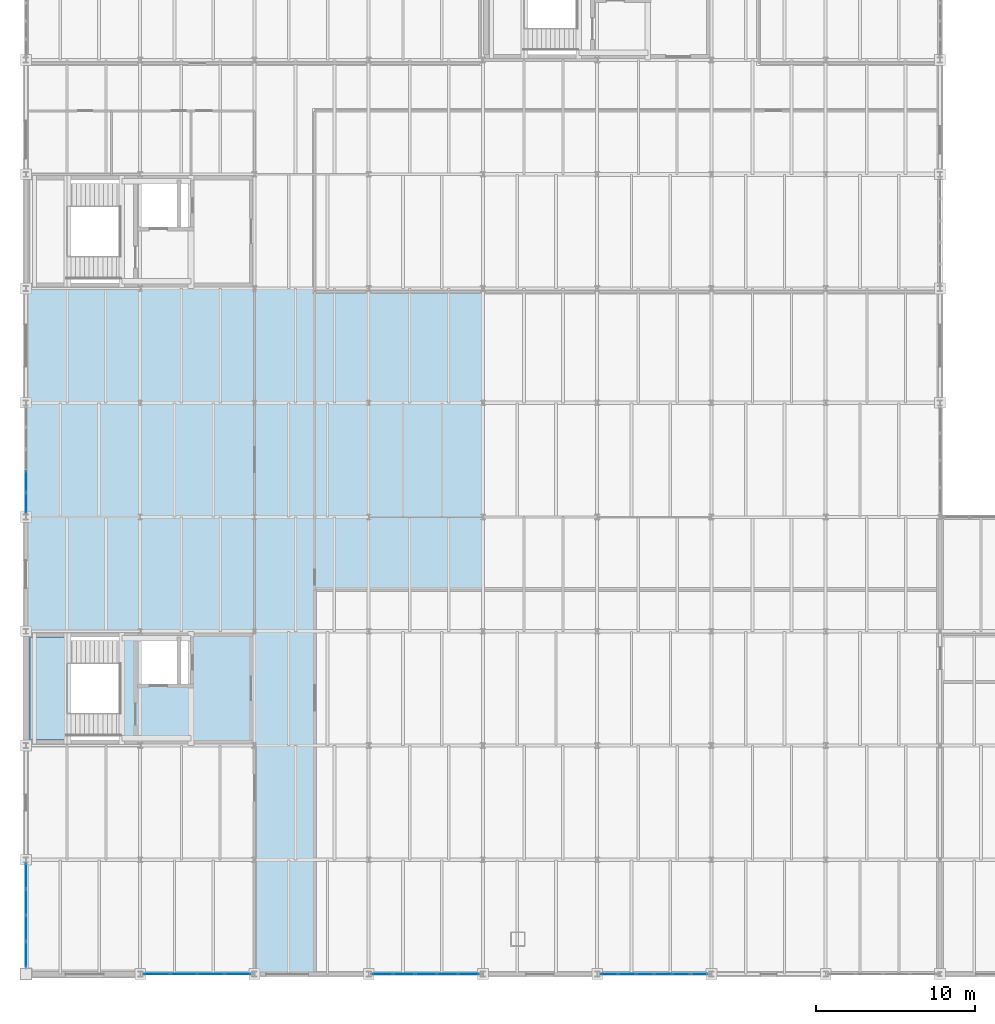
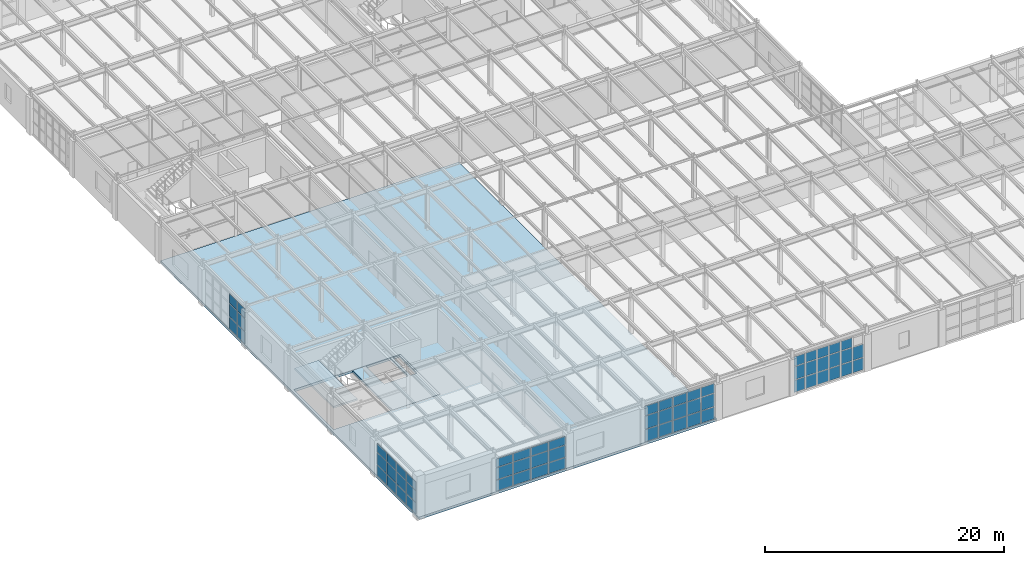
# One storey, part 108 of 137: 62 plates, 3 slabs, 6 elements without a shape of their own.
"""IFC4 building model written with IfcOpenShell, lengths in metres."""

from ifc_helpers import new_model, si_unit, direction, frame, origin, origin_2d, place, context, subcontext, project, spatial, polyline, rectangle, outline, extrude, material, layer, layer_set, type_object, element, aggregate, save


model = new_model("IFC4")

# Units and contexts
model_context = context("Model", 3, precision=1e-05, world=origin(), true_north=direction((0.0, 1.0)))
body_context = subcontext(model_context, "Body", "Model", "MODEL_VIEW")
ifc_project = project(units=[si_unit("LENGTHUNIT", "METRE"), si_unit("AREAUNIT", "SQUARE_METRE"), si_unit("VOLUMEUNIT", "CUBIC_METRE"), si_unit("PLANEANGLEUNIT", "RADIAN"), si_unit("MASSUNIT", "GRAM", prefix="KILO")], contexts=[model_context])

# Site, building, storey
site_placement = place(None, origin())
site = spatial("IfcSite", under=ifc_project, at=site_placement, CompositionType="ELEMENT")
building_placement = place(site_placement, origin())
building = spatial("IfcBuilding", under=site, at=building_placement, Name="Kemerveld Promenade Tramway Depot", CompositionType="ELEMENT")
storey_placement = place(building_placement, frame((0.0, 0.0, 5.39990234375)))
storey = spatial("IfcBuildingStorey", under=building, at=storey_placement, Name="L01", CompositionType="ELEMENT", Elevation=5.39990234375)

# Curtain wall, plates
ifc_material_1 = material(Name="Bronze anodised aluminium and solar glass", Category="aluminium")
ifc_layer_1 = layer(ifc_material_1, 0.199951171875)
ifc_layer_set_1 = layer_set([ifc_layer_1], Name="CW-SYS-10")
curtain_wall_type_1 = type_object("IfcCurtainWallType", Name="CW-SYS-10", PredefinedType="USERDEFINED", material=ifc_layer_set_1)
curtain_wall_1_placement = place(storey_placement, origin())
curtain_wall_1 = element("IfcCurtainWall", 1, at=curtain_wall_1_placement, inside=storey, type_object=curtain_wall_type_1, Name="CW-L01-V5S-07", ObjectType="GLAZED_CURTAIN_WALL", PredefinedType="USERDEFINED")
ifc_material_2 = material(Name="Solar-control laminated double glazing", Category="glass")
ifc_layer_2 = layer(ifc_material_2, 0.028076171875)
ifc_layer_set_2 = layer_set([ifc_layer_2], Name="CW-PNL-02")
plate_type_1 = type_object("IfcPlateType", Name="CW-PNL-02", PredefinedType="CURTAIN_PANEL", material=ifc_layer_set_2)
plate_1_placement = place(storey_placement, frame((13.34375, 0.0, 0.06494140625), z_axis=(0.0, 0.0, 1.0), x_axis=(-1.0, 0.0, 0.0)))
plate_1 = element("IfcPlate", 2, at=plate_1_placement, type_object=plate_type_1, Name="CW10 panel 1.1", PredefinedType="CURTAIN_PANEL", context=body_context, shape_type="SweptSolid", body=[
    extrude(rectangle(XDim=1.595703125, YDim=0.028076171875, at=origin_2d()), origin(), (0.0, 0.0, 1.0), 1.089599609375),
])
plate_2_placement = place(storey_placement, frame((13.34375, 0.0, 1.2197265625), z_axis=(0.0, 0.0, 1.0), x_axis=(-1.0, 0.0, 0.0)))
plate_2 = element("IfcPlate", 3, at=plate_2_placement, type_object=plate_type_1, Name="CW10 panel 1.2", PredefinedType="CURTAIN_PANEL", context=body_context, shape_type="SweptSolid", body=[
    extrude(rectangle(XDim=1.595703125, YDim=0.028076171875, at=origin_2d()), origin(), (0.0, 0.0, 1.0), 1.18896484375),
])
plate_3_placement = place(storey_placement, frame((13.34375, 0.0, 2.4736328125), z_axis=(0.0, 0.0, 1.0), x_axis=(-1.0, 0.0, 0.0)))
plate_3 = element("IfcPlate", 4, at=plate_3_placement, type_object=plate_type_1, Name="CW10 panel 1.3", PredefinedType="CURTAIN_PANEL", context=body_context, shape_type="SweptSolid", body=[
    extrude(rectangle(XDim=1.595703125, YDim=0.028076171875, at=origin_2d()), origin(), (0.0, 0.0, 1.0), 0.8515625),
])
plate_4_placement = place(storey_placement, frame((11.654052734375, 0.0, 0.06494140625), z_axis=(0.0, 0.0, 1.0), x_axis=(-1.0, 0.0, 0.0)))
plate_4 = element("IfcPlate", 5, at=plate_4_placement, type_object=plate_type_1, Name="CW10 panel 2.1", PredefinedType="CURTAIN_PANEL", context=body_context, shape_type="SweptSolid", body=[
    extrude(rectangle(XDim=1.63330078125, YDim=0.028076171875, at=origin_2d()), origin(), (0.0, 0.0, 1.0), 1.089599609375),
])
plate_5_placement = place(storey_placement, frame((11.654052734375, 0.0, 1.2197265625), z_axis=(0.0, 0.0, 1.0), x_axis=(-1.0, 0.0, 0.0)))
plate_5 = element("IfcPlate", 6, at=plate_5_placement, type_object=plate_type_1, Name="CW10 panel 2.2", PredefinedType="CURTAIN_PANEL", context=body_context, shape_type="SweptSolid", body=[
    extrude(rectangle(XDim=1.63330078125, YDim=0.028076171875, at=origin_2d()), origin(), (0.0, 0.0, 1.0), 1.18896484375),
])
plate_6_placement = place(storey_placement, frame((11.654052734375, 0.0, 2.4736328125), z_axis=(0.0, 0.0, 1.0), x_axis=(-1.0, 0.0, 0.0)))
plate_6 = element("IfcPlate", 7, at=plate_6_placement, type_object=plate_type_1, Name="CW10 panel 2.3", PredefinedType="CURTAIN_PANEL", context=body_context, shape_type="SweptSolid", body=[
    extrude(rectangle(XDim=1.63330078125, YDim=0.028076171875, at=origin_2d()), origin(), (0.0, 0.0, 1.0), 0.8515625),
])
plate_7_placement = place(storey_placement, frame((9.946044921875, 0.0, 0.06494140625), z_axis=(0.0, 0.0, 1.0), x_axis=(-1.0, 0.0, 0.0)))
plate_7 = element("IfcPlate", 8, at=plate_7_placement, type_object=plate_type_1, Name="CW10 panel 3.1", PredefinedType="CURTAIN_PANEL", context=body_context, shape_type="SweptSolid", body=[
    extrude(rectangle(XDim=1.63330078125, YDim=0.028076171875, at=origin_2d()), origin(), (0.0, 0.0, 1.0), 1.089599609375),
])
plate_8_placement = place(storey_placement, frame((9.946044921875, 0.0, 1.2197265625), z_axis=(0.0, 0.0, 1.0), x_axis=(-1.0, 0.0, 0.0)))
plate_8 = element("IfcPlate", 9, at=plate_8_placement, type_object=plate_type_1, Name="CW10 panel 3.2", PredefinedType="CURTAIN_PANEL", context=body_context, shape_type="SweptSolid", body=[
    extrude(rectangle(XDim=1.63330078125, YDim=0.028076171875, at=origin_2d()), origin(), (0.0, 0.0, 1.0), 1.18896484375),
])
plate_9_placement = place(storey_placement, frame((9.946044921875, 0.0, 2.4736328125), z_axis=(0.0, 0.0, 1.0), x_axis=(-1.0, 0.0, 0.0)))
plate_9 = element("IfcPlate", 10, at=plate_9_placement, type_object=plate_type_1, Name="CW10 panel 3.3", PredefinedType="CURTAIN_PANEL", context=body_context, shape_type="SweptSolid", body=[
    extrude(rectangle(XDim=1.63330078125, YDim=0.028076171875, at=origin_2d()), origin(), (0.0, 0.0, 1.0), 0.8515625),
])
plate_10_placement = place(storey_placement, frame((8.25634765625, 0.0, 0.06494140625), z_axis=(0.0, 0.0, 1.0), x_axis=(-1.0, 0.0, 0.0)))
plate_10 = element("IfcPlate", 11, at=plate_10_placement, type_object=plate_type_1, Name="CW10 panel 4.1", PredefinedType="CURTAIN_PANEL", context=body_context, shape_type="SweptSolid", body=[
    extrude(rectangle(XDim=1.595703125, YDim=0.028076171875, at=origin_2d()), origin(), (0.0, 0.0, 1.0), 1.089599609375),
])
plate_11_placement = place(storey_placement, frame((8.25634765625, 0.0, 1.2197265625), z_axis=(0.0, 0.0, 1.0), x_axis=(-1.0, 0.0, 0.0)))
plate_11 = element("IfcPlate", 12, at=plate_11_placement, type_object=plate_type_1, Name="CW10 panel 4.2", PredefinedType="CURTAIN_PANEL", context=body_context, shape_type="SweptSolid", body=[
    extrude(rectangle(XDim=1.595703125, YDim=0.028076171875, at=origin_2d()), origin(), (0.0, 0.0, 1.0), 1.18896484375),
])
plate_12_placement = place(storey_placement, frame((8.25634765625, 0.0, 2.4736328125), z_axis=(0.0, 0.0, 1.0), x_axis=(-1.0, 0.0, 0.0)))
plate_12 = element("IfcPlate", 13, at=plate_12_placement, type_object=plate_type_1, Name="CW10 panel 4.3", PredefinedType="CURTAIN_PANEL", context=body_context, shape_type="SweptSolid", body=[
    extrude(rectangle(XDim=1.595703125, YDim=0.028076171875, at=origin_2d()), origin(), (0.0, 0.0, 1.0), 0.8515625),
])
aggregate(curtain_wall_1, [plate_1, plate_2, plate_3, plate_4, plate_5, plate_6, plate_7, plate_8, plate_9, plate_10, plate_11, plate_12])

ifc_layer_3 = layer(ifc_material_1, 0.199951171875)
ifc_layer_set_3 = layer_set([ifc_layer_3], Name="CW-SYS-04")
curtain_wall_type_2 = type_object("IfcCurtainWallType", Name="CW-SYS-04", PredefinedType="USERDEFINED", material=ifc_layer_set_3)
curtain_wall_2_placement = place(storey_placement, origin())
curtain_wall_2 = element("IfcCurtainWall", 14, at=curtain_wall_2_placement, inside=storey, type_object=curtain_wall_type_2, Name="CW-L01-V5W-01", ObjectType="GLAZED_CURTAIN_WALL", PredefinedType="USERDEFINED")
ifc_layer_4 = layer(ifc_material_2, 0.031982421875)
ifc_layer_set_4 = layer_set([ifc_layer_4], Name="CW-PNL-04")
plate_type_2 = type_object("IfcPlateType", Name="CW-PNL-04", PredefinedType="CURTAIN_PANEL", material=ifc_layer_set_4)
plate_13_placement = place(storey_placement, frame((0.0, 1.241455078125, 0.06494140625), z_axis=(0.0, 0.0, 1.0), x_axis=(0.0, 1.0, 0.0)))
plate_13 = element("IfcPlate", 15, at=plate_13_placement, type_object=plate_type_2, Name="CW04 panel 1.1", PredefinedType="CURTAIN_PANEL", context=body_context, shape_type="SweptSolid", body=[
    extrude(rectangle(XDim=1.54296875, YDim=0.031982421875, at=origin_2d()), origin(), (0.0, 0.0, 1.0), 1.089599609375),
])
plate_14_placement = place(storey_placement, frame((0.0, 1.241455078125, 1.2197265625), z_axis=(0.0, 0.0, 1.0), x_axis=(0.0, 1.0, 0.0)))
plate_14 = element("IfcPlate", 16, at=plate_14_placement, type_object=plate_type_2, Name="CW04 panel 1.2", PredefinedType="CURTAIN_PANEL", context=body_context, shape_type="SweptSolid", body=[
    extrude(rectangle(XDim=1.54296875, YDim=0.031982421875, at=origin_2d()), origin(), (0.0, 0.0, 1.0), 1.18896484375),
])
plate_15_placement = place(storey_placement, frame((0.0, 1.241455078125, 2.4736328125), z_axis=(0.0, 0.0, 1.0), x_axis=(0.0, 1.0, 0.0)))
plate_15 = element("IfcPlate", 17, at=plate_15_placement, type_object=plate_type_2, Name="CW04 panel 1.3", PredefinedType="CURTAIN_PANEL", context=body_context, shape_type="SweptSolid", body=[
    extrude(rectangle(XDim=1.54296875, YDim=0.031982421875, at=origin_2d()), origin(), (0.0, 0.0, 1.0), 0.8515625),
])
plate_16_placement = place(storey_placement, frame((0.0, 2.8779296875, 0.06494140625), z_axis=(0.0, 0.0, 1.0), x_axis=(0.0, 1.0, 0.0)))
plate_16 = element("IfcPlate", 18, at=plate_16_placement, type_object=plate_type_2, Name="CW04 panel 2.1", PredefinedType="CURTAIN_PANEL", context=body_context, shape_type="SweptSolid", body=[
    extrude(rectangle(XDim=1.580322265625, YDim=0.031982421875, at=origin_2d()), origin(), (0.0, 0.0, 1.0), 1.089599609375),
])
plate_17_placement = place(storey_placement, frame((0.0, 2.8779296875, 1.2197265625), z_axis=(0.0, 0.0, 1.0), x_axis=(0.0, 1.0, 0.0)))
plate_17 = element("IfcPlate", 19, at=plate_17_placement, type_object=plate_type_2, Name="CW04 panel 2.2", PredefinedType="CURTAIN_PANEL", context=body_context, shape_type="SweptSolid", body=[
    extrude(rectangle(XDim=1.580322265625, YDim=0.031982421875, at=origin_2d()), origin(), (0.0, 0.0, 1.0), 1.18896484375),
])
plate_18_placement = place(storey_placement, frame((0.0, 2.8779296875, 2.4736328125), z_axis=(0.0, 0.0, 1.0), x_axis=(0.0, 1.0, 0.0)))
plate_18 = element("IfcPlate", 20, at=plate_18_placement, type_object=plate_type_2, Name="CW04 panel 2.3", PredefinedType="CURTAIN_PANEL", context=body_context, shape_type="SweptSolid", body=[
    extrude(rectangle(XDim=1.580322265625, YDim=0.031982421875, at=origin_2d()), origin(), (0.0, 0.0, 1.0), 0.8515625),
])
plate_19_placement = place(storey_placement, frame((0.0, 4.533447265625, 0.06494140625), z_axis=(0.0, 0.0, 1.0), x_axis=(0.0, 1.0, 0.0)))
plate_19 = element("IfcPlate", 21, at=plate_19_placement, type_object=plate_type_2, Name="CW04 panel 3.1", PredefinedType="CURTAIN_PANEL", context=body_context, shape_type="SweptSolid", body=[
    extrude(rectangle(XDim=1.580322265625, YDim=0.031982421875, at=origin_2d()), origin(), (0.0, 0.0, 1.0), 1.089599609375),
])
plate_20_placement = place(storey_placement, frame((0.0, 4.533447265625, 1.2197265625), z_axis=(0.0, 0.0, 1.0), x_axis=(0.0, 1.0, 0.0)))
plate_20 = element("IfcPlate", 22, at=plate_20_placement, type_object=plate_type_2, Name="CW04 panel 3.2", PredefinedType="CURTAIN_PANEL", context=body_context, shape_type="SweptSolid", body=[
    extrude(rectangle(XDim=1.580322265625, YDim=0.031982421875, at=origin_2d()), origin(), (0.0, 0.0, 1.0), 1.18896484375),
])
plate_21_placement = place(storey_placement, frame((0.0, 4.533447265625, 2.4736328125), z_axis=(0.0, 0.0, 1.0), x_axis=(0.0, 1.0, 0.0)))
plate_21 = element("IfcPlate", 23, at=plate_21_placement, type_object=plate_type_2, Name="CW04 panel 3.3", PredefinedType="CURTAIN_PANEL", context=body_context, shape_type="SweptSolid", body=[
    extrude(rectangle(XDim=1.580322265625, YDim=0.031982421875, at=origin_2d()), origin(), (0.0, 0.0, 1.0), 0.8515625),
])
plate_22_placement = place(storey_placement, frame((0.0, 6.169921875, 0.06494140625), z_axis=(0.0, 0.0, 1.0), x_axis=(0.0, 1.0, 0.0)))
plate_22 = element("IfcPlate", 24, at=plate_22_placement, type_object=plate_type_2, Name="CW04 panel 4.1", PredefinedType="CURTAIN_PANEL", context=body_context, shape_type="SweptSolid", body=[
    extrude(rectangle(XDim=1.54296875, YDim=0.031982421875, at=origin_2d()), origin(), (0.0, 0.0, 1.0), 1.089599609375),
])
plate_23_placement = place(storey_placement, frame((0.0, 6.169921875, 1.2197265625), z_axis=(0.0, 0.0, 1.0), x_axis=(0.0, 1.0, 0.0)))
plate_23 = element("IfcPlate", 25, at=plate_23_placement, type_object=plate_type_2, Name="CW04 panel 4.2", PredefinedType="CURTAIN_PANEL", context=body_context, shape_type="SweptSolid", body=[
    extrude(rectangle(XDim=1.54296875, YDim=0.031982421875, at=origin_2d()), origin(), (0.0, 0.0, 1.0), 1.18896484375),
])
plate_24_placement = place(storey_placement, frame((0.0, 6.169921875, 2.4736328125), z_axis=(0.0, 0.0, 1.0), x_axis=(0.0, 1.0, 0.0)))
plate_24 = element("IfcPlate", 26, at=plate_24_placement, type_object=plate_type_2, Name="CW04 panel 4.3", PredefinedType="CURTAIN_PANEL", context=body_context, shape_type="SweptSolid", body=[
    extrude(rectangle(XDim=1.54296875, YDim=0.031982421875, at=origin_2d()), origin(), (0.0, 0.0, 1.0), 0.8515625),
])
aggregate(curtain_wall_2, [plate_13, plate_14, plate_15, plate_16, plate_17, plate_18, plate_19, plate_20, plate_21, plate_22, plate_23, plate_24])

ifc_layer_5 = layer(ifc_material_1, 0.199951171875)
ifc_layer_set_5 = layer_set([ifc_layer_5], Name="CW-SYS-06")
curtain_wall_type_3 = type_object("IfcCurtainWallType", Name="CW-SYS-06", PredefinedType="USERDEFINED", material=ifc_layer_set_5)
curtain_wall_3_placement = place(storey_placement, origin())
curtain_wall_3 = element("IfcCurtainWall", 27, at=curtain_wall_3_placement, inside=storey, type_object=curtain_wall_type_3, Name="CW-L01-V5S-03", ObjectType="GLAZED_CURTAIN_WALL", PredefinedType="USERDEFINED")
ifc_layer_6 = layer(ifc_material_2, 0.02587890625)
ifc_layer_set_6 = layer_set([ifc_layer_6], Name="CW-PNL-06")
plate_type_3 = type_object("IfcPlateType", Name="CW-PNL-06", PredefinedType="CURTAIN_PANEL", material=ifc_layer_set_6)
plate_25_placement = place(storey_placement, frame((42.42822265625, 0.0, 0.06494140625), z_axis=(0.0, 0.0, 1.0), x_axis=(-1.0, 0.0, 0.0)))
plate_25 = element("IfcPlate", 28, at=plate_25_placement, type_object=plate_type_3, Name="CW06 panel 1.1", PredefinedType="CURTAIN_PANEL", context=body_context, shape_type="SweptSolid", body=[
    extrude(rectangle(XDim=1.0263671875, YDim=0.02587890625, at=origin_2d()), origin(), (0.0, 0.0, 1.0), 1.215576171875),
])
plate_26_placement = place(storey_placement, frame((42.42822265625, 0.0, 1.345703125), z_axis=(0.0, 0.0, 1.0), x_axis=(-1.0, 0.0, 0.0)))
plate_26 = element("IfcPlate", 29, at=plate_26_placement, type_object=plate_type_3, Name="CW06 panel 1.2", PredefinedType="CURTAIN_PANEL", context=body_context, shape_type="SweptSolid", body=[
    extrude(rectangle(XDim=1.0263671875, YDim=0.02587890625, at=origin_2d()), origin(), (0.0, 0.0, 1.0), 1.322021484375),
])
plate_27_placement = place(storey_placement, frame((41.308349609375, 0.0, 0.06494140625), z_axis=(0.0, 0.0, 1.0), x_axis=(-1.0, 0.0, 0.0)))
plate_27 = element("IfcPlate", 30, at=plate_27_placement, type_object=plate_type_3, Name="CW06 panel 2.1", PredefinedType="CURTAIN_PANEL", context=body_context, shape_type="SweptSolid", body=[
    extrude(rectangle(XDim=1.063720703125, YDim=0.02587890625, at=origin_2d()), origin(), (0.0, 0.0, 1.0), 1.215576171875),
])
plate_28_placement = place(storey_placement, frame((41.308349609375, 0.0, 1.345703125), z_axis=(0.0, 0.0, 1.0), x_axis=(-1.0, 0.0, 0.0)))
plate_28 = element("IfcPlate", 31, at=plate_28_placement, type_object=plate_type_3, Name="CW06 panel 2.2", PredefinedType="CURTAIN_PANEL", context=body_context, shape_type="SweptSolid", body=[
    extrude(rectangle(XDim=1.063720703125, YDim=0.02587890625, at=origin_2d()), origin(), (0.0, 0.0, 1.0), 1.322021484375),
])
plate_29_placement = place(storey_placement, frame((41.308349609375, 0.0, 2.732421875), z_axis=(0.0, 0.0, 1.0), x_axis=(-1.0, 0.0, 0.0)))
plate_29 = element("IfcPlate", 32, at=plate_29_placement, type_object=plate_type_3, Name="CW06 panel 2.3", PredefinedType="CURTAIN_PANEL", context=body_context, shape_type="SweptSolid", body=[
    extrude(rectangle(XDim=1.063720703125, YDim=0.02587890625, at=origin_2d()), origin(), (0.0, 0.0, 1.0), 0.952392578125),
])
plate_30_placement = place(storey_placement, frame((40.16943359375, 0.0, 0.06494140625), z_axis=(0.0, 0.0, 1.0), x_axis=(-1.0, 0.0, 0.0)))
plate_30 = element("IfcPlate", 33, at=plate_30_placement, type_object=plate_type_3, Name="CW06 panel 3.1", PredefinedType="CURTAIN_PANEL", context=body_context, shape_type="SweptSolid", body=[
    extrude(rectangle(XDim=1.063720703125, YDim=0.02587890625, at=origin_2d()), origin(), (0.0, 0.0, 1.0), 1.215576171875),
])
plate_31_placement = place(storey_placement, frame((40.16943359375, 0.0, 1.345703125), z_axis=(0.0, 0.0, 1.0), x_axis=(-1.0, 0.0, 0.0)))
plate_31 = element("IfcPlate", 34, at=plate_31_placement, type_object=plate_type_3, Name="CW06 panel 3.2", PredefinedType="CURTAIN_PANEL", context=body_context, shape_type="SweptSolid", body=[
    extrude(rectangle(XDim=1.063720703125, YDim=0.02587890625, at=origin_2d()), origin(), (0.0, 0.0, 1.0), 1.322021484375),
])
plate_32_placement = place(storey_placement, frame((40.16943359375, 0.0, 2.732421875), z_axis=(0.0, 0.0, 1.0), x_axis=(-1.0, 0.0, 0.0)))
plate_32 = element("IfcPlate", 35, at=plate_32_placement, type_object=plate_type_3, Name="CW06 panel 3.3", PredefinedType="CURTAIN_PANEL", context=body_context, shape_type="SweptSolid", body=[
    extrude(rectangle(XDim=1.063720703125, YDim=0.02587890625, at=origin_2d()), origin(), (0.0, 0.0, 1.0), 0.952392578125),
])
plate_33_placement = place(storey_placement, frame((39.030517578125, 0.0, 0.06494140625), z_axis=(0.0, 0.0, 1.0), x_axis=(-1.0, 0.0, 0.0)))
plate_33 = element("IfcPlate", 36, at=plate_33_placement, type_object=plate_type_3, Name="CW06 panel 4.1", PredefinedType="CURTAIN_PANEL", context=body_context, shape_type="SweptSolid", body=[
    extrude(rectangle(XDim=1.063720703125, YDim=0.02587890625, at=origin_2d()), origin(), (0.0, 0.0, 1.0), 1.215576171875),
])
plate_34_placement = place(storey_placement, frame((39.030517578125, 0.0, 1.345703125), z_axis=(0.0, 0.0, 1.0), x_axis=(-1.0, 0.0, 0.0)))
plate_34 = element("IfcPlate", 37, at=plate_34_placement, type_object=plate_type_3, Name="CW06 panel 4.2", PredefinedType="CURTAIN_PANEL", context=body_context, shape_type="SweptSolid", body=[
    extrude(rectangle(XDim=1.063720703125, YDim=0.02587890625, at=origin_2d()), origin(), (0.0, 0.0, 1.0), 1.322021484375),
])
plate_35_placement = place(storey_placement, frame((39.030517578125, 0.0, 2.732421875), z_axis=(0.0, 0.0, 1.0), x_axis=(-1.0, 0.0, 0.0)))
plate_35 = element("IfcPlate", 38, at=plate_35_placement, type_object=plate_type_3, Name="CW06 panel 4.3", PredefinedType="CURTAIN_PANEL", context=body_context, shape_type="SweptSolid", body=[
    extrude(rectangle(XDim=1.063720703125, YDim=0.02587890625, at=origin_2d()), origin(), (0.0, 0.0, 1.0), 0.952392578125),
])
plate_36_placement = place(storey_placement, frame((37.891845703125, 0.0, 0.06494140625), z_axis=(0.0, 0.0, 1.0), x_axis=(-1.0, 0.0, 0.0)))
plate_36 = element("IfcPlate", 39, at=plate_36_placement, type_object=plate_type_3, Name="CW06 panel 5.1", PredefinedType="CURTAIN_PANEL", context=body_context, shape_type="SweptSolid", body=[
    extrude(rectangle(XDim=1.063720703125, YDim=0.02587890625, at=origin_2d()), origin(), (0.0, 0.0, 1.0), 1.215576171875),
])
plate_37_placement = place(storey_placement, frame((37.891845703125, 0.0, 1.345703125), z_axis=(0.0, 0.0, 1.0), x_axis=(-1.0, 0.0, 0.0)))
plate_37 = element("IfcPlate", 40, at=plate_37_placement, type_object=plate_type_3, Name="CW06 panel 5.2", PredefinedType="CURTAIN_PANEL", context=body_context, shape_type="SweptSolid", body=[
    extrude(rectangle(XDim=1.063720703125, YDim=0.02587890625, at=origin_2d()), origin(), (0.0, 0.0, 1.0), 1.322021484375),
])
plate_38_placement = place(storey_placement, frame((37.891845703125, 0.0, 2.732421875), z_axis=(0.0, 0.0, 1.0), x_axis=(-1.0, 0.0, 0.0)))
plate_38 = element("IfcPlate", 41, at=plate_38_placement, type_object=plate_type_3, Name="CW06 panel 5.3", PredefinedType="CURTAIN_PANEL", context=body_context, shape_type="SweptSolid", body=[
    extrude(rectangle(XDim=1.063720703125, YDim=0.02587890625, at=origin_2d()), origin(), (0.0, 0.0, 1.0), 0.952392578125),
])
plate_39_placement = place(storey_placement, frame((36.771728515625, 0.0, 0.06494140625), z_axis=(0.0, 0.0, 1.0), x_axis=(-1.0, 0.0, 0.0)))
plate_39 = element("IfcPlate", 42, at=plate_39_placement, type_object=plate_type_3, Name="CW06 panel 6.1", PredefinedType="CURTAIN_PANEL", context=body_context, shape_type="SweptSolid", body=[
    extrude(rectangle(XDim=1.0263671875, YDim=0.02587890625, at=origin_2d()), origin(), (0.0, 0.0, 1.0), 1.215576171875),
])
plate_40_placement = place(storey_placement, frame((36.771728515625, 0.0, 1.345703125), z_axis=(0.0, 0.0, 1.0), x_axis=(-1.0, 0.0, 0.0)))
plate_40 = element("IfcPlate", 43, at=plate_40_placement, type_object=plate_type_3, Name="CW06 panel 6.2", PredefinedType="CURTAIN_PANEL", context=body_context, shape_type="SweptSolid", body=[
    extrude(rectangle(XDim=1.0263671875, YDim=0.02587890625, at=origin_2d()), origin(), (0.0, 0.0, 1.0), 1.322021484375),
])
plate_41_placement = place(storey_placement, frame((36.771728515625, 0.0, 2.732421875), z_axis=(0.0, 0.0, 1.0), x_axis=(-1.0, 0.0, 0.0)))
plate_41 = element("IfcPlate", 44, at=plate_41_placement, type_object=plate_type_3, Name="CW06 panel 6.3", PredefinedType="CURTAIN_PANEL", context=body_context, shape_type="SweptSolid", body=[
    extrude(rectangle(XDim=1.0263671875, YDim=0.02587890625, at=origin_2d()), origin(), (0.0, 0.0, 1.0), 0.952392578125),
])
aggregate(curtain_wall_3, [plate_25, plate_26, plate_27, plate_28, plate_29, plate_30, plate_31, plate_32, plate_33, plate_34, plate_35, plate_36, plate_37, plate_38, plate_39, plate_40, plate_41])

ifc_layer_7 = layer(ifc_material_1, 0.199951171875)
ifc_layer_set_7 = layer_set([ifc_layer_7], Name="CW-SYS-08")
curtain_wall_type_4 = type_object("IfcCurtainWallType", Name="CW-SYS-08", PredefinedType="USERDEFINED", material=ifc_layer_set_7)
curtain_wall_4_placement = place(storey_placement, origin())
curtain_wall_4 = element("IfcCurtainWall", 45, at=curtain_wall_4_placement, inside=storey, type_object=curtain_wall_type_4, Name="CW-L01-V5W-05", ObjectType="GLAZED_CURTAIN_WALL", PredefinedType="USERDEFINED")
ifc_layer_8 = layer(ifc_material_2, 0.028076171875)
ifc_layer_set_8 = layer_set([ifc_layer_8], Name="CW-PNL-08")
plate_type_4 = type_object("IfcPlateType", Name="CW-PNL-08", PredefinedType="CURTAIN_PANEL", material=ifc_layer_set_8)
plate_42_placement = place(storey_placement, frame((0.0, 29.685546875, 0.06494140625), z_axis=(0.0, 0.0, 1.0), x_axis=(0.0, 1.0, 0.0)))
plate_42 = element("IfcPlate", 46, at=plate_42_placement, type_object=plate_type_4, Name="CW08 panel 1.1", PredefinedType="CURTAIN_PANEL", context=body_context, shape_type="SweptSolid", body=[
    extrude(rectangle(XDim=1.254150390625, YDim=0.028076171875, at=origin_2d()), origin(), (0.0, 0.0, 1.0), 1.198486328125),
])
plate_43_placement = place(storey_placement, frame((0.0, 29.685546875, 1.32861328125), z_axis=(0.0, 0.0, 1.0), x_axis=(0.0, 1.0, 0.0)))
plate_43 = element("IfcPlate", 47, at=plate_43_placement, type_object=plate_type_4, Name="CW08 panel 1.2", PredefinedType="CURTAIN_PANEL", context=body_context, shape_type="SweptSolid", body=[
    extrude(rectangle(XDim=1.254150390625, YDim=0.028076171875, at=origin_2d()), origin(), (0.0, 0.0, 1.0), 1.304931640625),
])
plate_44_placement = place(storey_placement, frame((0.0, 29.685546875, 2.698486328125), z_axis=(0.0, 0.0, 1.0), x_axis=(0.0, 1.0, 0.0)))
plate_44 = element("IfcPlate", 48, at=plate_44_placement, type_object=plate_type_4, Name="CW08 panel 1.3", PredefinedType="CURTAIN_PANEL", context=body_context, shape_type="SweptSolid", body=[
    extrude(rectangle(XDim=1.254150390625, YDim=0.028076171875, at=origin_2d()), origin(), (0.0, 0.0, 1.0), 0.93994140625),
])
plate_45_placement = place(storey_placement, frame((0.0, 31.033447265625, 0.06494140625), z_axis=(0.0, 0.0, 1.0), x_axis=(0.0, 1.0, 0.0)))
plate_45 = element("IfcPlate", 49, at=plate_45_placement, type_object=plate_type_4, Name="CW08 panel 2.1", PredefinedType="CURTAIN_PANEL", context=body_context, shape_type="SweptSolid", body=[
    extrude(rectangle(XDim=1.29150390625, YDim=0.028076171875, at=origin_2d()), origin(), (0.0, 0.0, 1.0), 1.198486328125),
])
plate_46_placement = place(storey_placement, frame((0.0, 31.033447265625, 1.32861328125), z_axis=(0.0, 0.0, 1.0), x_axis=(0.0, 1.0, 0.0)))
plate_46 = element("IfcPlate", 50, at=plate_46_placement, type_object=plate_type_4, Name="CW08 panel 2.2", PredefinedType="CURTAIN_PANEL", context=body_context, shape_type="SweptSolid", body=[
    extrude(rectangle(XDim=1.29150390625, YDim=0.028076171875, at=origin_2d()), origin(), (0.0, 0.0, 1.0), 1.304931640625),
])
plate_47_placement = place(storey_placement, frame((0.0, 31.033447265625, 2.698486328125), z_axis=(0.0, 0.0, 1.0), x_axis=(0.0, 1.0, 0.0)))
plate_47 = element("IfcPlate", 51, at=plate_47_placement, type_object=plate_type_4, Name="CW08 panel 2.3", PredefinedType="CURTAIN_PANEL", context=body_context, shape_type="SweptSolid", body=[
    extrude(rectangle(XDim=1.29150390625, YDim=0.028076171875, at=origin_2d()), origin(), (0.0, 0.0, 1.0), 0.93994140625),
])
aggregate(curtain_wall_4, [plate_42, plate_43, plate_44, plate_45, plate_46, plate_47])

curtain_wall_5_placement = place(storey_placement, origin())
curtain_wall_5 = element("IfcCurtainWall", 52, at=curtain_wall_5_placement, inside=storey, type_object=curtain_wall_type_4, Name="CW-L01-V5S-05", ObjectType="GLAZED_CURTAIN_WALL", PredefinedType="USERDEFINED")
plate_48_placement = place(storey_placement, frame((27.91455078125, 0.0, 0.06494140625), z_axis=(0.0, 0.0, 1.0), x_axis=(-1.0, 0.0, 0.0)))
plate_48 = element("IfcPlate", 53, at=plate_48_placement, type_object=plate_type_4, Name="CW08 panel 1.1", PredefinedType="CURTAIN_PANEL", context=body_context, shape_type="SweptSolid", body=[
    extrude(rectangle(XDim=1.254150390625, YDim=0.028076171875, at=origin_2d()), origin(), (0.0, 0.0, 1.0), 1.215576171875),
])
plate_49_placement = place(storey_placement, frame((27.91455078125, 0.0, 1.345703125), z_axis=(0.0, 0.0, 1.0), x_axis=(-1.0, 0.0, 0.0)))
plate_49 = element("IfcPlate", 54, at=plate_49_placement, type_object=plate_type_4, Name="CW08 panel 1.2", PredefinedType="CURTAIN_PANEL", context=body_context, shape_type="SweptSolid", body=[
    extrude(rectangle(XDim=1.254150390625, YDim=0.028076171875, at=origin_2d()), origin(), (0.0, 0.0, 1.0), 1.322021484375),
])
plate_50_placement = place(storey_placement, frame((27.91455078125, 0.0, 2.732421875), z_axis=(0.0, 0.0, 1.0), x_axis=(-1.0, 0.0, 0.0)))
plate_50 = element("IfcPlate", 55, at=plate_50_placement, type_object=plate_type_4, Name="CW08 panel 1.3", PredefinedType="CURTAIN_PANEL", context=body_context, shape_type="SweptSolid", body=[
    extrude(rectangle(XDim=1.254150390625, YDim=0.028076171875, at=origin_2d()), origin(), (0.0, 0.0, 1.0), 0.952392578125),
])
plate_51_placement = place(storey_placement, frame((26.566650390625, 0.0, 0.06494140625), z_axis=(0.0, 0.0, 1.0), x_axis=(-1.0, 0.0, 0.0)))
plate_51 = element("IfcPlate", 56, at=plate_51_placement, type_object=plate_type_4, Name="CW08 panel 2.1", PredefinedType="CURTAIN_PANEL", context=body_context, shape_type="SweptSolid", body=[
    extrude(rectangle(XDim=1.29150390625, YDim=0.028076171875, at=origin_2d()), origin(), (0.0, 0.0, 1.0), 1.215576171875),
])
plate_52_placement = place(storey_placement, frame((26.566650390625, 0.0, 1.345703125), z_axis=(0.0, 0.0, 1.0), x_axis=(-1.0, 0.0, 0.0)))
plate_52 = element("IfcPlate", 57, at=plate_52_placement, type_object=plate_type_4, Name="CW08 panel 2.2", PredefinedType="CURTAIN_PANEL", context=body_context, shape_type="SweptSolid", body=[
    extrude(rectangle(XDim=1.29150390625, YDim=0.028076171875, at=origin_2d()), origin(), (0.0, 0.0, 1.0), 1.322021484375),
])
plate_53_placement = place(storey_placement, frame((26.566650390625, 0.0, 2.732421875), z_axis=(0.0, 0.0, 1.0), x_axis=(-1.0, 0.0, 0.0)))
plate_53 = element("IfcPlate", 58, at=plate_53_placement, type_object=plate_type_4, Name="CW08 panel 2.3", PredefinedType="CURTAIN_PANEL", context=body_context, shape_type="SweptSolid", body=[
    extrude(rectangle(XDim=1.29150390625, YDim=0.028076171875, at=origin_2d()), origin(), (0.0, 0.0, 1.0), 0.952392578125),
])
plate_54_placement = place(storey_placement, frame((25.199951171875, 0.0, 0.06494140625), z_axis=(0.0, 0.0, 1.0), x_axis=(-1.0, 0.0, 0.0)))
plate_54 = element("IfcPlate", 59, at=plate_54_placement, type_object=plate_type_4, Name="CW08 panel 3.1", PredefinedType="CURTAIN_PANEL", context=body_context, shape_type="SweptSolid", body=[
    extrude(rectangle(XDim=1.29150390625, YDim=0.028076171875, at=origin_2d()), origin(), (0.0, 0.0, 1.0), 1.215576171875),
])
plate_55_placement = place(storey_placement, frame((25.199951171875, 0.0, 1.345703125), z_axis=(0.0, 0.0, 1.0), x_axis=(-1.0, 0.0, 0.0)))
plate_55 = element("IfcPlate", 60, at=plate_55_placement, type_object=plate_type_4, Name="CW08 panel 3.2", PredefinedType="CURTAIN_PANEL", context=body_context, shape_type="SweptSolid", body=[
    extrude(rectangle(XDim=1.29150390625, YDim=0.028076171875, at=origin_2d()), origin(), (0.0, 0.0, 1.0), 1.322021484375),
])
plate_56_placement = place(storey_placement, frame((25.199951171875, 0.0, 2.732421875), z_axis=(0.0, 0.0, 1.0), x_axis=(-1.0, 0.0, 0.0)))
plate_56 = element("IfcPlate", 61, at=plate_56_placement, type_object=plate_type_4, Name="CW08 panel 3.3", PredefinedType="CURTAIN_PANEL", context=body_context, shape_type="SweptSolid", body=[
    extrude(rectangle(XDim=1.29150390625, YDim=0.028076171875, at=origin_2d()), origin(), (0.0, 0.0, 1.0), 0.952392578125),
])
plate_57_placement = place(storey_placement, frame((23.83349609375, 0.0, 0.06494140625), z_axis=(0.0, 0.0, 1.0), x_axis=(-1.0, 0.0, 0.0)))
plate_57 = element("IfcPlate", 62, at=plate_57_placement, type_object=plate_type_4, Name="CW08 panel 4.1", PredefinedType="CURTAIN_PANEL", context=body_context, shape_type="SweptSolid", body=[
    extrude(rectangle(XDim=1.29150390625, YDim=0.028076171875, at=origin_2d()), origin(), (0.0, 0.0, 1.0), 1.215576171875),
])
plate_58_placement = place(storey_placement, frame((23.83349609375, 0.0, 1.345703125), z_axis=(0.0, 0.0, 1.0), x_axis=(-1.0, 0.0, 0.0)))
plate_58 = element("IfcPlate", 63, at=plate_58_placement, type_object=plate_type_4, Name="CW08 panel 4.2", PredefinedType="CURTAIN_PANEL", context=body_context, shape_type="SweptSolid", body=[
    extrude(rectangle(XDim=1.29150390625, YDim=0.028076171875, at=origin_2d()), origin(), (0.0, 0.0, 1.0), 1.322021484375),
])
plate_59_placement = place(storey_placement, frame((23.83349609375, 0.0, 2.732421875), z_axis=(0.0, 0.0, 1.0), x_axis=(-1.0, 0.0, 0.0)))
plate_59 = element("IfcPlate", 64, at=plate_59_placement, type_object=plate_type_4, Name="CW08 panel 4.3", PredefinedType="CURTAIN_PANEL", context=body_context, shape_type="SweptSolid", body=[
    extrude(rectangle(XDim=1.29150390625, YDim=0.028076171875, at=origin_2d()), origin(), (0.0, 0.0, 1.0), 0.952392578125),
])
plate_60_placement = place(storey_placement, frame((22.485595703125, 0.0, 0.06494140625), z_axis=(0.0, 0.0, 1.0), x_axis=(-1.0, 0.0, 0.0)))
plate_60 = element("IfcPlate", 65, at=plate_60_placement, type_object=plate_type_4, Name="CW08 panel 5.1", PredefinedType="CURTAIN_PANEL", context=body_context, shape_type="SweptSolid", body=[
    extrude(rectangle(XDim=1.254150390625, YDim=0.028076171875, at=origin_2d()), origin(), (0.0, 0.0, 1.0), 1.215576171875),
])
plate_61_placement = place(storey_placement, frame((22.485595703125, 0.0, 1.345703125), z_axis=(0.0, 0.0, 1.0), x_axis=(-1.0, 0.0, 0.0)))
plate_61 = element("IfcPlate", 66, at=plate_61_placement, type_object=plate_type_4, Name="CW08 panel 5.2", PredefinedType="CURTAIN_PANEL", context=body_context, shape_type="SweptSolid", body=[
    extrude(rectangle(XDim=1.254150390625, YDim=0.028076171875, at=origin_2d()), origin(), (0.0, 0.0, 1.0), 1.322021484375),
])
plate_62_placement = place(storey_placement, frame((22.485595703125, 0.0, 2.732421875), z_axis=(0.0, 0.0, 1.0), x_axis=(-1.0, 0.0, 0.0)))
plate_62 = element("IfcPlate", 67, at=plate_62_placement, type_object=plate_type_4, Name="CW08 panel 5.3", PredefinedType="CURTAIN_PANEL", context=body_context, shape_type="SweptSolid", body=[
    extrude(rectangle(XDim=1.254150390625, YDim=0.028076171875, at=origin_2d()), origin(), (0.0, 0.0, 1.0), 0.952392578125),
])
aggregate(curtain_wall_5, [plate_48, plate_49, plate_50, plate_51, plate_52, plate_53, plate_54, plate_55, plate_56, plate_57, plate_58, plate_59, plate_60, plate_61, plate_62])

# Slabs
ifc_material_3 = material(Name="Concrete C40/50", Category="concrete")
ifc_layer_9 = layer(ifc_material_3, 0.219970703125)
ifc_layer_set_9 = layer_set([ifc_layer_9], Name="SL-CORE-220")
slab_type_1 = type_object("IfcSlabType", Name="SL-CORE-220", PredefinedType="FLOOR", material=ifc_layer_set_9)
slab_1_placement = place(storey_placement, frame((0.0, 0.0, -0.219970703125)))
element("IfcSlab", 68, at=slab_1_placement, inside=storey, type_object=slab_type_1, Name="SLB-CORE-C1-L01", PredefinedType="FLOOR", context=body_context, shape_type="SweptSolid", body=[
    extrude(outline(polyline([(5.919921875, 14.64990234375), (10.550048828125, 14.64990234375), (10.550048828125, 21.35009765625), (5.919921875, 21.35009765625), (5.919921875, 14.64990234375)]), holes=[polyline([(7.199951171875, 18.280029296875), (9.550048828125, 18.280029296875), (9.550048828125, 21.280029296875), (7.199951171875, 21.280029296875), (7.199951171875, 18.280029296875)]), polyline([(9.75, 18.280029296875), (10.3798828125, 18.280029296875), (10.3798828125, 21.280029296875), (9.75, 21.280029296875), (9.75, 18.280029296875)])]), origin(), (0.0, 0.0, 1.0), 0.219970703125),
])
ifc_material_4 = material(Name="Concrete C35/45", Category="concrete")
ifc_layer_10 = layer(ifc_material_4, 0.25)
ifc_layer_set_10 = layer_set([ifc_layer_10], Name="SL-FL02")
slab_type_2 = type_object("IfcSlabType", Name="SL-FL02", PredefinedType="FLOOR", material=ifc_layer_set_10)
slab_2_placement = place(storey_placement, frame((0.0, 0.0, -0.25)))
element("IfcSlab", 69, at=slab_2_placement, inside=storey, type_object=slab_type_2, Name="SLB-L01-V5A", PredefinedType="FLOOR", context=body_context, shape_type="SweptSolid", body=[
    extrude(outline(polyline([(0.0, 0.0), (28.800048828125, 0.0), (28.800048828125, 43.199951171875), (0.0, 43.199951171875), (0.0, 0.0)]), holes=[polyline([(0.25, 14.64990234375), (10.550048828125, 14.64990234375), (10.550048828125, 21.35009765625), (0.25, 21.35009765625), (0.25, 14.64990234375)])]), origin(), (0.0, 0.0, 1.0), 0.25),
])

# Stair, slab
stair_type = type_object("IfcStairType", Name="STR-HT-TYP", PredefinedType="HALF_TURN_STAIR", material=ifc_material_3)
stair_placement = place(storey_placement, origin())
stair = element("IfcStair", 70, at=stair_placement, inside=storey, type_object=stair_type, Name="ST-01-L01", PredefinedType="HALF_TURN_STAIR")
ifc_layer_11 = layer(ifc_material_3, 0.179931640625)
ifc_layer_set_11 = layer_set([ifc_layer_11], Name="SL-LND-180")
slab_type_3 = type_object("IfcSlabType", Name="SL-LND-180", PredefinedType="LANDING", material=ifc_layer_set_11)
slab_3_placement = place(storey_placement, frame((0.0, 0.0, 2.070068359375)))
slab_3 = element("IfcSlab", 71, at=slab_3_placement, type_object=slab_type_3, Name="ST-01-L01 landing 1", PredefinedType="LANDING", context=body_context, shape_type="SweptSolid", body=[
    extrude(outline(polyline([(0.280029296875, 14.760009765625), (2.580078125, 14.760009765625), (2.580078125, 21.239990234375), (0.280029296875, 21.239990234375), (0.280029296875, 14.760009765625)])), origin(), (0.0, 0.0, 1.0), 0.179931640625),
])
aggregate(stair, [slab_3])

save(model, "model.ifc")
